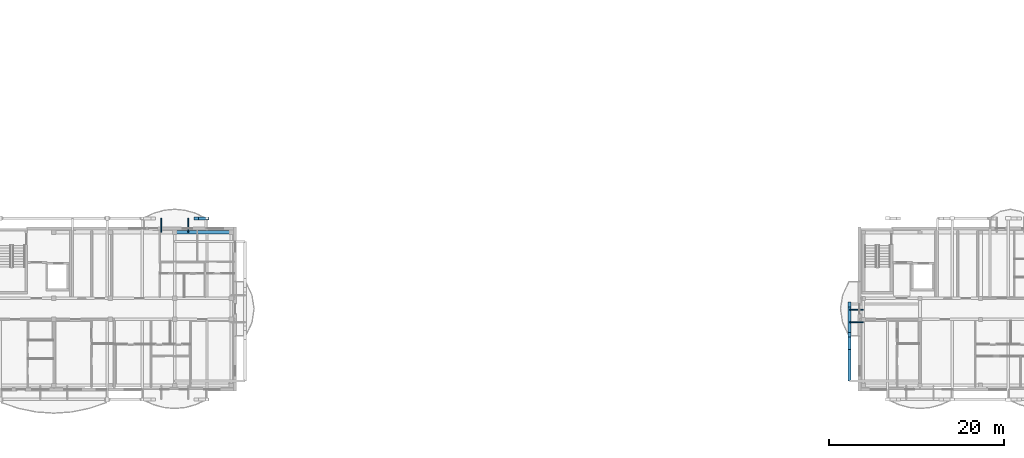
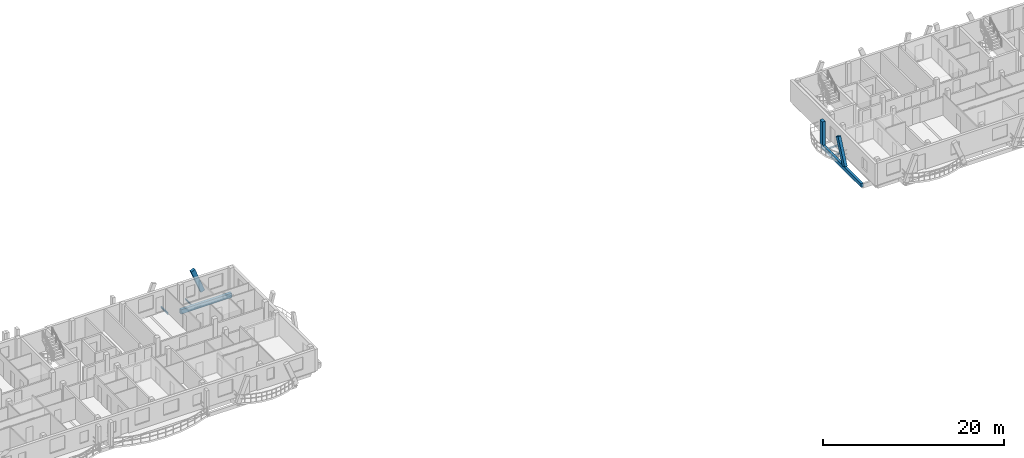
# One storey, part 4 of 42: 6 beams, 3 members.
"""IFC4 building model written with IfcOpenShell, lengths in metres."""

from ifc_helpers import new_model, si_unit, direction, frame, origin, origin_2d, place, context, subcontext, project, spatial, rectangle, i_section, extrude, material, material_profile, profile_set, type_object, element, save


model = new_model("IFC4")

# Units and contexts
model_context = context("Model", 3, precision=1e-05, world=origin(), true_north=direction((0.0, 1.0)))
body_context = subcontext(model_context, "Body", "Model", "MODEL_VIEW")
ifc_project = project(units=[si_unit("LENGTHUNIT", "METRE"), si_unit("AREAUNIT", "SQUARE_METRE"), si_unit("VOLUMEUNIT", "CUBIC_METRE"), si_unit("PLANEANGLEUNIT", "RADIAN"), si_unit("MASSUNIT", "GRAM", prefix="KILO")], contexts=[model_context])

# Site, building, storey
site_placement = place(None, origin())
site = spatial("IfcSite", under=ifc_project, at=site_placement, CompositionType="ELEMENT")
building_placement = place(site_placement, origin())
building = spatial("IfcBuilding", under=site, at=building_placement, Name="Zavelmont Quarter", CompositionType="ELEMENT")
storey_placement = place(building_placement, frame((0.0, 0.0, 24.0)))
storey = spatial("IfcBuildingStorey", under=building, at=storey_placement, Name="L07", CompositionType="ELEMENT", Elevation=24.0)

# Beams
ifc_material_1 = material(Name="Concrete C35/45", Category="concrete")
ifc_material_profile_1 = material_profile(ifc_material_1, rectangle(XDim=0.35009765625, YDim=0.60009765625, at=origin_2d()), Name="RC350X600")
ifc_profile_set_1 = profile_set([ifc_material_profile_1], Name="Concrete C35/45")
beam_type_1 = type_object("IfcBeamType", Name="BM01", PredefinedType="SPANDREL", material=ifc_profile_set_1)
beam_1_placement = place(storey_placement, frame((48.300048828125, 17.9599609375, -0.550048828125), z_axis=(1.0, 0.0, 0.0), x_axis=(0.0, 1.0, 0.0)))
element("IfcBeam", 1, at=beam_1_placement, inside=storey, type_object=beam_type_1, Name="L07 beam BM01 8/D to 9/D", PredefinedType="SPANDREL", context=body_context, shape_type="SweptSolid", body=[
    extrude(rectangle(XDim=0.35009765625, YDim=0.60009765625, at=origin_2d()), origin(), (0.0, 0.0, 1.0), 6.4599609375),
])
ifc_material_profile_2 = material_profile(ifc_material_1, rectangle(XDim=0.300048828125, YDim=0.5, at=origin_2d()), Name="RC300X500")
ifc_profile_set_2 = profile_set([ifc_material_profile_2], Name="Concrete C35/45")
beam_type_2 = type_object("IfcBeamType", Name="BM03", PredefinedType="BEAM", material=ifc_profile_set_2)
beam_2_placement = place(storey_placement, frame((125.449951171875, 0.949951171875, -0.25), z_axis=(0.0, 1.0, 0.0), x_axis=(-1.0, 0.0, 0.0)))
element("IfcBeam", 2, at=beam_2_placement, inside=storey, type_object=beam_type_2, Name="L07 beam BM03 19/A to 19/C", PredefinedType="BEAM", context=body_context, shape_type="SweptSolid", body=[
    extrude(rectangle(XDim=0.300048828125, YDim=0.5, at=origin_2d()), origin(), (0.0, 0.0, 1.0), 8.800048828125),
])
ifc_material_2 = material(Name="Steel S355", Category="steel")
ifc_material_profile_3 = material_profile(ifc_material_2, i_section(OverallWidth=0.110107421875, OverallDepth=0.219970703125, WebThickness=0.005859375, FlangeThickness=0.00927734375, at=origin_2d()), Name="IPE 220")
ifc_profile_set_3 = profile_set([ifc_material_profile_3], Name="Steel S355")
beam_type_3 = type_object("IfcBeamType", Name="BM15", PredefinedType="JOIST", material=ifc_profile_set_3)
for number, where, z_axis, x_axis, name in (
    (3, (46.75, 17.9599609375, -0.362060546875), (0.0, 1.0, 0.0), (-1.0, 0.0, 0.0), "L07 beam BM15 8/D to 8/D"),
    (4, (49.85009765625, 17.9599609375, -0.362060546875), (0.0, 1.0, 0.0), (-1.0, 0.0, 0.0), "L07 beam BM15 8/D to 8/D"),
    (5, (127.0400390625, 7.64990234375, -0.362060546875), (-1.0, 0.0, 0.0), (0.0, -1.0, 0.0), "L07 beam BM15 19/B to 19/B"),
    (6, (127.0400390625, 9.10009765625, -0.362060546875), (-1.0, 0.0, 0.0), (0.0, -1.0, 0.0), "L07 beam BM15 19/B to 19/B"),
):
    element("IfcBeam", number, at=place(storey_placement, frame(where, z_axis=z_axis, x_axis=x_axis)), inside=storey, type_object=beam_type_3, Name=name, PredefinedType="JOIST", context=body_context, shape_type="SweptSolid", body=[
        extrude(i_section(OverallWidth=0.110107421875, OverallDepth=0.219970703125, WebThickness=0.005859375, FlangeThickness=0.00927734375, at=origin_2d()), origin(), (0.0, 0.0, 1.0), 1.590087890625),
    ])

# Members
ifc_material_3 = material(Name="White architectural precast concrete C40/50", Category="concrete")
ifc_material_profile_4 = material_profile(ifc_material_3, rectangle(XDim=0.360107421875, YDim=0.5400390625, at=origin_2d()), Name="PCR280X420")
ifc_profile_set_4 = profile_set([ifc_material_profile_4], Name="White architectural precast concrete C40/50")
member_type = type_object("IfcMemberType", Name="VR02M", PredefinedType="CHORD", material=ifc_profile_set_4)
member_1_placement = place(storey_placement, frame((52.001220703125, 19.550048828125, 0.0), z_axis=(-0.363485315523, 0.0, 0.931599927758), x_axis=(0.0, -1.0, 0.0)))
element("IfcMember", 7, at=member_1_placement, inside=storey, type_object=member_type, Name="L07 member VR02M 9/D to 8/D", PredefinedType="CHORD", context=body_context, shape_type="SweptSolid", body=[
    extrude(rectangle(XDim=0.360107421875, YDim=0.5400390625, at=origin_2d()), origin(), (0.0, 0.0, 1.0), 3.434814453125),
])
member_2_placement = place(storey_placement, frame((125.449951171875, 4.77880859375, 0.0), z_axis=(0.0, 0.41399130661, 0.910280834716), x_axis=(-1.0, 0.0, 0.0)))
element("IfcMember", 8, at=member_2_placement, inside=storey, type_object=member_type, Name="L07 member VR02M 19/B to 19/B", PredefinedType="CHORD", context=body_context, shape_type="SweptSolid", body=[
    extrude(rectangle(XDim=0.360107421875, YDim=0.5400390625, at=origin_2d()), origin(), (0.0, 0.0, 1.0), 3.515380859375),
])
member_3_placement = place(storey_placement, frame((125.449951171875, 9.699951171875, 0.0), z_axis=(0.0, 0.0, 1.0), x_axis=(1.0, 0.0, 0.0)))
element("IfcMember", 9, at=member_3_placement, inside=storey, type_object=member_type, Name="L07 member VR02M 19/C to 19/C", PredefinedType="CHORD", context=body_context, shape_type="SweptSolid", body=[
    extrude(rectangle(XDim=0.360107421875, YDim=0.5400390625, at=origin_2d()), origin(), (0.0, 0.0, 1.0), 3.199951171875),
])

save(model, "model.ifc")
